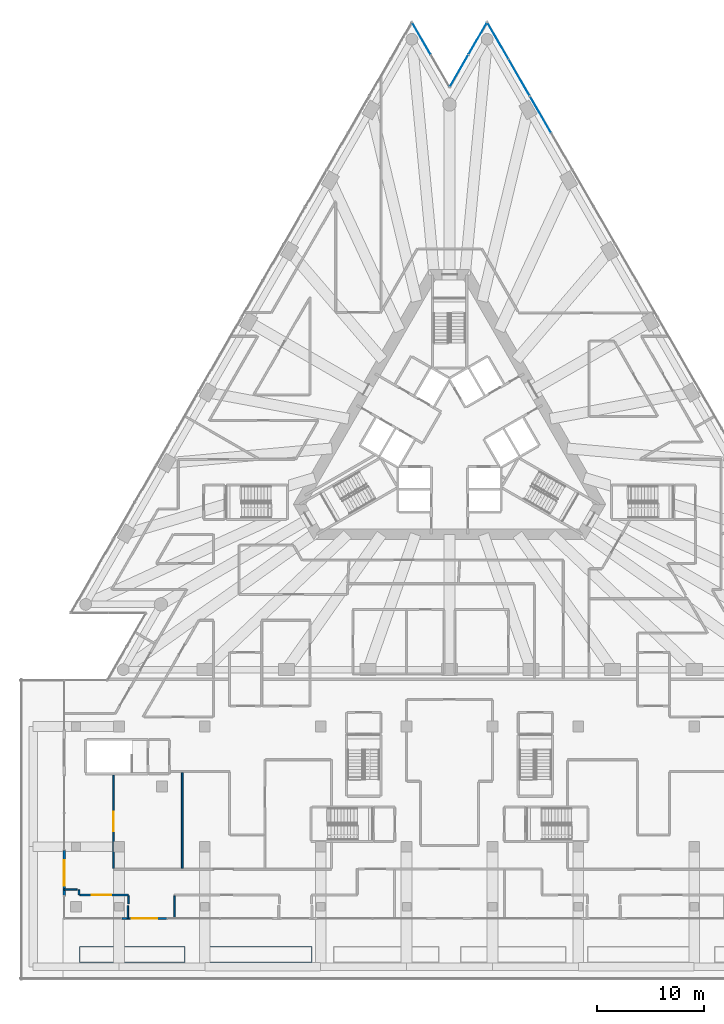
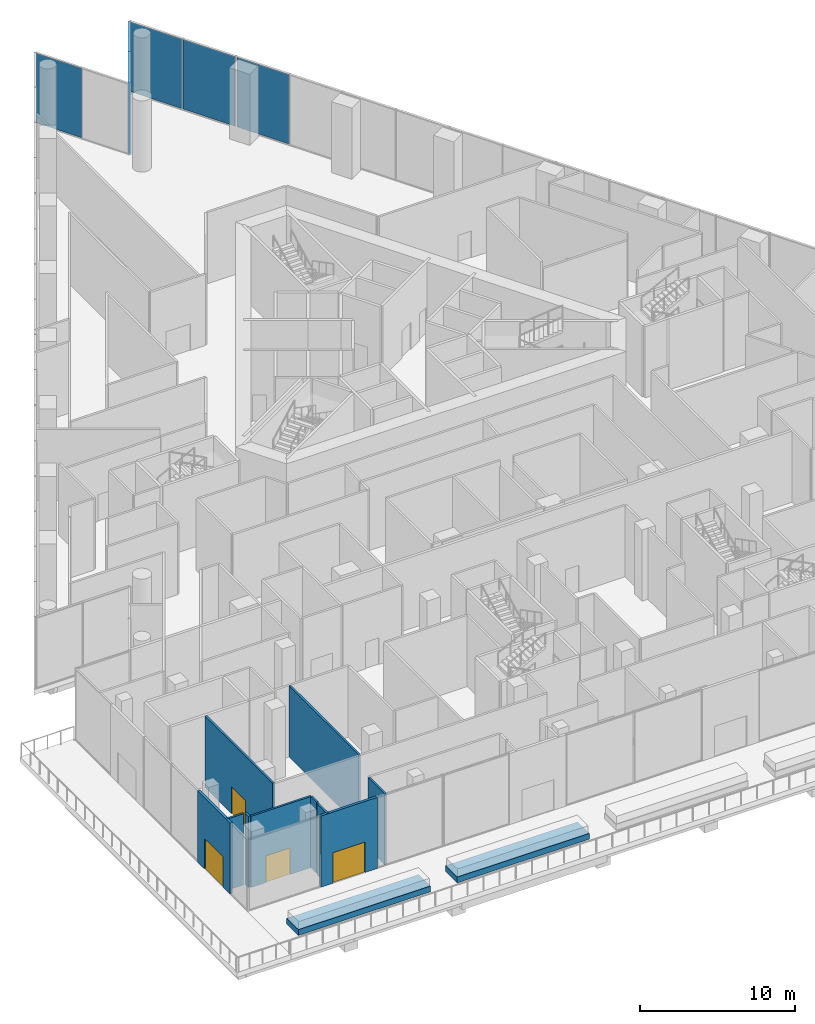
# One storey, part 21 of 36: 12 walls, 6 plates, 4 doors, 4 openings, 4 elements without a shape of their own.
"""IFC4 building model written with IfcOpenShell, lengths in metres."""

from ifc_helpers import new_model, si_unit, direction, frame, frame_2d, origin, origin_2d, place, context, subcontext, project, spatial, rectangle, extrude, material, layer, layer_set, layer_usage, type_object, element, fill, aggregate, save


model = new_model("IFC4")

# Units and contexts
model_context = context("Model", 3, precision=1e-05, world=origin(), true_north=direction((0.0, 1.0)))
body_context = subcontext(model_context, "Body", "Model", "MODEL_VIEW")
ifc_project = project(units=[si_unit("LENGTHUNIT", "METRE"), si_unit("AREAUNIT", "SQUARE_METRE"), si_unit("VOLUMEUNIT", "CUBIC_METRE"), si_unit("PLANEANGLEUNIT", "RADIAN"), si_unit("MASSUNIT", "GRAM", prefix="KILO")], contexts=[model_context])

# Site, building, storey
site_placement = place(None, origin())
site = spatial("IfcSite", under=ifc_project, at=site_placement, CompositionType="ELEMENT")
building_placement = place(site_placement, origin())
building = spatial("IfcBuilding", under=site, at=building_placement, Name="Triada Interchange Tower", CompositionType="ELEMENT")
storey_placement = place(building_placement, frame((0.0, 0.0, 8.5)))
storey = spatial("IfcBuildingStorey", under=building, at=storey_placement, Name="L01", CompositionType="ELEMENT", Elevation=8.5)

# Curtain wall, plate
ifc_material_1 = material(Name="Aluminium framed glazing", Category="aluminium")
ifc_layer_1 = layer(ifc_material_1, 0.199951171875)
ifc_layer_set_1 = layer_set([ifc_layer_1], Name="Curtain wall Concourse glazed screen")
curtain_wall_type_1 = type_object("IfcCurtainWallType", Name="Curtain wall Concourse glazed screen", PredefinedType="NOTDEFINED", material=ifc_layer_set_1)
curtain_wall_1_placement = place(storey_placement, origin())
curtain_wall_1 = element("IfcCurtainWall", 1, at=curtain_wall_1_placement, inside=storey, type_object=curtain_wall_type_1, Name="Concourse glazed screen CW023 L01", PredefinedType="NOTDEFINED")
ifc_material_2 = material(Name="Insulated glazing unit", Category="glass")
ifc_layer_2 = layer(ifc_material_2, 0.031982421875)
ifc_layer_set_2 = layer_set([ifc_layer_2], Name="Glazing panel Concourse glazed screen 32")
plate_type_1 = type_object("IfcPlateType", Name="Glazing panel Concourse glazed screen 32", PredefinedType="CURTAIN_PANEL", material=ifc_layer_set_2)
plate_1_placement = place(storey_placement, frame((8.482177734375, 30.10791015625, 0.06005859375), z_axis=(0.0, 0.0, 1.0), x_axis=(-0.499947913852, 0.866055473648, 0.0)))
plate_1 = element("IfcPlate", 2, at=plate_1_placement, type_object=plate_type_1, Name="CW023 panel 2.1", PredefinedType="CURTAIN_PANEL", context=body_context, shape_type="SweptSolid", body=[
    extrude(rectangle(XDim=3.87744140625, YDim=0.031982421875, at=origin_2d()), origin(), (0.0, 0.0, 1.0), 5.47998046875),
])
aggregate(curtain_wall_1, [plate_1])

# Curtain wall, plates
curtain_wall_2_placement = place(storey_placement, origin())
curtain_wall_2 = element("IfcCurtainWall", 3, at=curtain_wall_2_placement, inside=storey, type_object=curtain_wall_type_1, Name="Concourse glazed screen CW024 L01", PredefinedType="NOTDEFINED")
plate_2_placement = place(storey_placement, frame((6.47705078125, 33.580322265625, 0.06005859375), z_axis=(0.0, 0.0, 1.0), x_axis=(-0.499958648825, 0.86604927658, 0.0)))
plate_2 = element("IfcPlate", 4, at=plate_2_placement, type_object=plate_type_1, Name="CW024 panel 1.1", PredefinedType="CURTAIN_PANEL", context=body_context, shape_type="SweptSolid", body=[
    extrude(rectangle(XDim=3.88037109375, YDim=0.031982421875, at=origin_2d()), origin(), (0.0, 0.0, 1.0), 5.47998046875),
])
plate_3_placement = place(storey_placement, frame((4.507080078125, 36.99267578125, 0.06005859375), z_axis=(0.0, 0.0, 1.0), x_axis=(-0.499958648825, 0.86604927658, 0.0)))
plate_3 = element("IfcPlate", 5, at=plate_3_placement, type_object=plate_type_1, Name="CW024 panel 2.1", PredefinedType="CURTAIN_PANEL", context=body_context, shape_type="SweptSolid", body=[
    extrude(rectangle(XDim=3.88037109375, YDim=0.031982421875, at=origin_2d()), origin(), (0.0, 0.0, 1.0), 5.47998046875),
])
aggregate(curtain_wall_2, [plate_2, plate_3])

ifc_layer_3 = layer(ifc_material_1, 0.199951171875)
ifc_layer_set_3 = layer_set([ifc_layer_3], Name="Curtain wall Tower lobby glazing")
curtain_wall_type_2 = type_object("IfcCurtainWallType", Name="Curtain wall Tower lobby glazing", PredefinedType="NOTDEFINED", material=ifc_layer_set_3)
curtain_wall_3_placement = place(storey_placement, origin())
curtain_wall_3 = element("IfcCurtainWall", 6, at=curtain_wall_3_placement, inside=storey, type_object=curtain_wall_type_2, Name="Tower lobby glazing CW025 L01", PredefinedType="NOTDEFINED")
ifc_layer_4 = layer(ifc_material_2, 0.031982421875)
ifc_layer_set_4 = layer_set([ifc_layer_4], Name="Glazing panel Tower lobby glazing 32")
plate_type_2 = type_object("IfcPlateType", Name="Glazing panel Tower lobby glazing 32", PredefinedType="CURTAIN_PANEL", material=ifc_layer_set_4)
plate_4_placement = place(storey_placement, frame((2.622802734375, 37.193359375, 0.06005859375), z_axis=(0.0, 0.0, 1.0), x_axis=(-0.499956922962, -0.866050272896, 0.0)))
plate_4 = element("IfcPlate", 7, at=plate_4_placement, type_object=plate_type_2, Name="CW025 panel 1.1", PredefinedType="CURTAIN_PANEL", context=body_context, shape_type="SweptSolid", body=[
    extrude(rectangle(XDim=3.417236328125, YDim=0.031982421875, at=origin_2d()), origin(), (0.0, 0.0, 1.0), 5.47998046875),
])
plate_5_placement = place(storey_placement, frame((0.88427734375, 34.181640625, 0.06005859375), z_axis=(0.0, 0.0, 1.0), x_axis=(-0.499956922962, -0.866050272896, 0.0)))
plate_5 = element("IfcPlate", 8, at=plate_5_placement, type_object=plate_type_2, Name="CW025 panel 2.1", PredefinedType="CURTAIN_PANEL", context=body_context, shape_type="SweptSolid", body=[
    extrude(rectangle(XDim=3.417236328125, YDim=0.031982421875, at=origin_2d()), origin(), (0.0, 0.0, 1.0), 5.47998046875),
])
aggregate(curtain_wall_3, [plate_4, plate_5])

# Curtain wall, plate
curtain_wall_4_placement = place(storey_placement, origin())
curtain_wall_4 = element("IfcCurtainWall", 9, at=curtain_wall_4_placement, inside=storey, type_object=curtain_wall_type_2, Name="Tower lobby glazing CW026 L01", PredefinedType="NOTDEFINED")
plate_6_placement = place(storey_placement, frame((-2.622802734375, 37.193359375, 0.06005859375), z_axis=(0.0, 0.0, 1.0), x_axis=(-0.499956922962, 0.866050272896, 0.0)))
plate_6 = element("IfcPlate", 10, at=plate_6_placement, type_object=plate_type_2, Name="CW026 panel 2.1", PredefinedType="CURTAIN_PANEL", context=body_context, shape_type="SweptSolid", body=[
    extrude(rectangle(XDim=3.417236328125, YDim=0.031982421875, at=origin_2d()), origin(), (0.0, 0.0, 1.0), 5.47998046875),
])
aggregate(curtain_wall_4, [plate_6])

# Wall, opening, door
ifc_material_3 = material(Name="Cement board")
ifc_layer_5 = layer(ifc_material_3, 0.02001953125, Name="Cement board cladding")
ifc_material_4 = material(Name="Sheathing board")
ifc_layer_6 = layer(ifc_material_4, 0.014892578125, Name="Sheathing board")
ifc_material_5 = material(Name="Mineral wool")
ifc_layer_7 = layer(ifc_material_5, 0.14990234375, Name="Mineral wool between steel studs")
ifc_material_6 = material(Name="Gypsum board")
ifc_layer_8 = layer(ifc_material_6, 0.014892578125, Name="Plasterboard lining")
ifc_layer_set_5 = layer_set([ifc_layer_5, ifc_layer_6, ifc_layer_7, ifc_layer_8], Name="External wall 200")
ifc_layer_usage = layer_usage(ifc_layer_set_5, "AXIS2", "POSITIVE", -0.10009765625)
wall_type_1 = type_object("IfcWallType", Name="External wall 200", PredefinedType="ELEMENTEDWALL", material=ifc_layer_set_5)
wall_1_placement = place(storey_placement, frame((-30.52001953125, -44.800048828125, 0.0), z_axis=(0.0, 0.0, 1.0), x_axis=(1.0, 0.0, 0.0)))
wall_1 = element("IfcWall", 11, at=wall_1_placement, inside=storey, type_object=wall_type_1, material=ifc_layer_usage, Name="External wall L01 00.1", PredefinedType="ELEMENTEDWALL", context=body_context, shape_type="SweptSolid", body=[
    extrude(rectangle(XDim=4.199951171875, YDim=0.199951171875, at=frame_2d((2.10009765625, 0.0))), origin(), (0.0, 0.0, 1.0), 5.60009765625),
])
opening_1_placement = place(wall_1_placement, frame((0.89990234375, 0.0, 0.0)))
opening_1 = element("IfcOpeningElement", 12, at=opening_1_placement, cuts=wall_1, Name="Opening DX29", PredefinedType="OPENING", context=body_context, shape_type="SweptSolid", body=[
    extrude(rectangle(XDim=2.39990234375, YDim=2.39990234375, at=frame_2d((1.199951171875, 1.199951171875))), frame((0.0, 0.10986328125, 0.0), z_axis=(0.0, -1.0, 0.0), x_axis=(1.0, 0.0, 0.0)), (0.0, 0.0, 1.0), 0.219970703125),
])
ifc_material_7 = material(Name="Aluminium and glass", Category="aluminium")
door_type_1 = type_object("IfcDoorType", Name="Terrace door double", OperationType="DOUBLE_DOOR_SINGLE_SWING", PredefinedType="DOOR", material=ifc_material_7)
door_1_placement = place(opening_1_placement, frame((2.39990234375, 0.0, 0.0), z_axis=(0.0, 0.0, 1.0), x_axis=(-1.0, 0.0, 0.0)))
door_1 = element("IfcDoor", 13, at=door_1_placement, inside=storey, type_object=door_type_1, Name="Door DX29 L01", OperationType="DOUBLE_DOOR_SINGLE_SWING", OverallHeight=2.39990234375, OverallWidth=2.39990234375, PredefinedType="DOOR", context=body_context, shape_type="SweptSolid", body=[
    extrude(rectangle(XDim=2.39990234375, YDim=2.39990234375, at=frame_2d((1.199951171875, 1.199951171875))), frame((0.0, 0.02490234375, 0.0), z_axis=(0.0, -1.0, 0.0), x_axis=(1.0, 0.0, 0.0)), (0.0, 0.0, 1.0), 0.050048828125),
])
fill(opening_1, door_1)

wall_2_placement = place(storey_placement, frame((-35.89990234375, -38.449951171875, 0.0), z_axis=(0.0, 0.0, 1.0), x_axis=(0.0, -1.0, 0.0)))
wall_2 = element("IfcWall", 14, at=wall_2_placement, inside=storey, type_object=wall_type_1, material=ifc_layer_usage, Name="External wall L01 12.3", PredefinedType="ELEMENTEDWALL", context=body_context, shape_type="SweptSolid", body=[
    extrude(rectangle(XDim=4.199951171875, YDim=0.199951171875, at=frame_2d((2.10009765625, 0.0))), origin(), (0.0, 0.0, 1.0), 5.60009765625),
])
opening_2_placement = place(wall_2_placement, frame((0.89990234375, 0.0, 0.0)))
opening_2 = element("IfcOpeningElement", 15, at=opening_2_placement, cuts=wall_2, Name="Opening DX37", PredefinedType="OPENING", context=body_context, shape_type="SweptSolid", body=[
    extrude(rectangle(XDim=2.39990234375, YDim=2.39990234375, at=frame_2d((1.199951171875, 1.199951171875))), frame((0.0, 0.10986328125, 0.0), z_axis=(0.0, -1.0, 0.0), x_axis=(1.0, 0.0, 0.0)), (0.0, 0.0, 1.0), 0.219970703125),
])
door_2_placement = place(opening_2_placement, frame((2.39990234375, 0.0, 0.0), z_axis=(0.0, 0.0, 1.0), x_axis=(-1.0, 0.0, 0.0)))
door_2 = element("IfcDoor", 16, at=door_2_placement, inside=storey, type_object=door_type_1, Name="Door DX37 L01", OperationType="DOUBLE_DOOR_SINGLE_SWING", OverallHeight=2.39990234375, OverallWidth=2.39990234375, PredefinedType="DOOR", context=body_context, shape_type="SweptSolid", body=[
    extrude(rectangle(XDim=2.39990234375, YDim=2.39990234375, at=frame_2d((1.199951171875, 1.199951171875))), frame((0.0, 0.02490234375, 0.0), z_axis=(0.0, -1.0, 0.0), x_axis=(1.0, 0.0, 0.0)), (0.0, 0.0, 1.0), 0.050048828125),
])
fill(opening_2, door_2)

# Walls
ifc_material_8 = material(Name="Gypsum board partition")
ifc_layer_9 = layer(ifc_material_8, 0.14990234375)
ifc_layer_set_6 = layer_set([ifc_layer_9], Name="PARTITION 150 EI 90")
wall_type_2 = type_object("IfcWallType", Name="PARTITION 150 EI 90", PredefinedType="PARTITIONING", material=ifc_layer_set_6)
wall_3_placement = place(storey_placement, frame((-35.89990234375, -42.10009765625, 0.0), z_axis=(0.0, 0.0, 1.0), x_axis=(1.0, 0.0, 0.0)))
element("IfcWall", 17, at=wall_3_placement, inside=storey, type_object=wall_type_2, Name="Wall L01 36", PredefinedType="PARTITIONING", context=body_context, shape_type="SweptSolid", body=[
    extrude(rectangle(XDim=1.199951171875, YDim=0.14990234375, at=frame_2d((0.60009765625, 0.0))), origin(), (0.0, 0.0, 1.0), 5.60009765625),
])
wall_4_placement = place(storey_placement, frame((-34.52099609375, -42.60009765625, 0.0), z_axis=(0.0, 0.0, 1.0), x_axis=(0.0, 1.0, 0.0)))
element("IfcWall", 18, at=wall_4_placement, inside=storey, type_object=wall_type_2, Name="Wall L01 38", PredefinedType="PARTITIONING", context=body_context, shape_type="SweptSolid", body=[
    extrude(rectangle(XDim=0.466064453125, YDim=0.14990234375, at=frame_2d((0.23291015625, 0.0))), origin(), (0.0, 0.0, 1.0), 5.60009765625),
])

# Wall, opening, door
wall_5_placement = place(storey_placement, frame((-34.446044921875, -42.60009765625, 0.0), z_axis=(0.0, 0.0, 1.0), x_axis=(1.0, 0.0, 0.0)))
wall_5 = element("IfcWall", 19, at=wall_5_placement, inside=storey, type_object=wall_type_2, Name="Wall L01 39", PredefinedType="PARTITIONING", context=body_context, shape_type="SweptSolid", body=[
    extrude(rectangle(XDim=4.526123046875, YDim=0.14990234375, at=frame_2d((2.26318359375, 0.0))), origin(), (0.0, 0.0, 1.0), 5.60009765625),
])
opening_3_placement = place(wall_5_placement, frame((1.125, 0.0, 0.0)))
opening_3 = element("IfcOpeningElement", 20, at=opening_3_placement, cuts=wall_5, Name="Opening D01-49", PredefinedType="OPENING", context=body_context, shape_type="SweptSolid", body=[
    extrude(rectangle(XDim=1.800048828125, YDim=2.10009765625, at=frame_2d((0.89990234375, 1.050048828125))), frame((0.0, 0.0849609375, 0.0), z_axis=(0.0, -1.0, 0.0), x_axis=(1.0, 0.0, 0.0)), (0.0, 0.0, 1.0), 0.169921875),
])
ifc_material_9 = material(Name="Steel S235 door leaf", Category="steel")
door_type_2 = type_object("IfcDoorType", Name="SHOP AND HALL ENTRANCE DOOR 1800 EI2 90-C5S200", OperationType="DOUBLE_DOOR_SINGLE_SWING", PredefinedType="DOOR", material=ifc_material_9)
door_3_placement = place(opening_3_placement, origin())
door_3 = element("IfcDoor", 21, at=door_3_placement, inside=storey, type_object=door_type_2, Name="Door D01-49 L01", OperationType="DOUBLE_DOOR_SINGLE_SWING", OverallHeight=2.10009765625, OverallWidth=1.800048828125, PredefinedType="DOOR", context=body_context, shape_type="SweptSolid", body=[
    extrude(rectangle(XDim=1.800048828125, YDim=2.10009765625, at=frame_2d((0.89990234375, 1.050048828125))), frame((0.0, 0.02490234375, 0.0), z_axis=(0.0, -1.0, 0.0), x_axis=(1.0, 0.0, 0.0)), (0.0, 0.0, 1.0), 0.050048828125),
])
fill(opening_3, door_3)

# Walls
wall_6_placement = place(storey_placement, frame((-29.919921875, -43.4208984375, 0.0), z_axis=(0.0, 0.0, 1.0), x_axis=(0.0, 1.0, 0.0)))
element("IfcWall", 22, at=wall_6_placement, inside=storey, type_object=wall_type_2, Name="Wall L01 45", PredefinedType="PARTITIONING", context=body_context, shape_type="SweptSolid", body=[
    extrude(rectangle(XDim=0.745849609375, YDim=0.14990234375, at=frame_2d((0.373046875, 0.0))), origin(), (0.0, 0.0, 1.0), 5.60009765625),
])
wall_7_placement = place(storey_placement, frame((-29.969970703125, -44.800048828125, 0.0), z_axis=(0.0, 0.0, 1.0), x_axis=(0.0, 1.0, 0.0)))
element("IfcWall", 23, at=wall_7_placement, inside=storey, type_object=wall_type_2, Name="Wall L01 46", PredefinedType="PARTITIONING", context=body_context, shape_type="SweptSolid", body=[
    extrude(rectangle(XDim=1.199951171875, YDim=0.14990234375, at=frame_2d((0.60009765625, 0.0))), origin(), (0.0, 0.0, 1.0), 5.60009765625),
])

# Wall, opening, door
wall_8_placement = place(storey_placement, frame((-31.300048828125, -40.125, 0.0), z_axis=(0.0, 0.0, 1.0), x_axis=(0.0, 1.0, 0.0)))
wall_8 = element("IfcWall", 24, at=wall_8_placement, inside=storey, type_object=wall_type_2, Name="Wall L01 55", PredefinedType="PARTITIONING", context=body_context, shape_type="SweptSolid", body=[
    extrude(rectangle(XDim=8.72509765625, YDim=0.14990234375, at=frame_2d((4.362548828125, 0.0))), origin(), (0.0, 0.0, 1.0), 5.60009765625),
])
opening_4_placement = place(wall_8_placement, frame((3.47509765625, 0.0, 0.0)))
opening_4 = element("IfcOpeningElement", 25, at=opening_4_placement, cuts=wall_8, Name="Opening D01-31", PredefinedType="OPENING", context=body_context, shape_type="SweptSolid", body=[
    extrude(rectangle(XDim=1.800048828125, YDim=2.10009765625, at=frame_2d((0.89990234375, 1.050048828125))), frame((0.0, 0.0849609375, 0.0), z_axis=(0.0, -1.0, 0.0), x_axis=(1.0, 0.0, 0.0)), (0.0, 0.0, 1.0), 0.169921875),
])
door_4_placement = place(opening_4_placement, origin())
door_4 = element("IfcDoor", 26, at=door_4_placement, inside=storey, type_object=door_type_2, Name="Door D01-31 L01", OperationType="DOUBLE_DOOR_SINGLE_SWING", OverallHeight=2.10009765625, OverallWidth=1.800048828125, PredefinedType="DOOR", context=body_context, shape_type="SweptSolid", body=[
    extrude(rectangle(XDim=1.800048828125, YDim=2.10009765625, at=frame_2d((0.89990234375, 1.050048828125))), frame((0.0, 0.02490234375, 0.0), z_axis=(0.0, -1.0, 0.0), x_axis=(1.0, 0.0, 0.0)), (0.0, 0.0, 1.0), 0.050048828125),
])
fill(opening_4, door_4)

# Walls
wall_9_placement = place(storey_placement, frame((-25.64306640625, -44.800048828125, 0.0), z_axis=(0.0, 0.0, 1.0), x_axis=(0.0, 1.0, 0.0)))
element("IfcWall", 27, at=wall_9_placement, inside=storey, type_object=wall_type_2, Name="Wall L01 77", PredefinedType="PARTITIONING", context=body_context, shape_type="SweptSolid", body=[
    extrude(rectangle(XDim=2.125, YDim=0.14990234375, at=frame_2d((1.0625, 0.0))), origin(), (0.0, 0.0, 1.0), 5.60009765625),
])
wall_10_placement = place(storey_placement, frame((-24.89990234375, -40.125, 0.0), z_axis=(0.0, 0.0, 1.0), x_axis=(0.0, 1.0, 0.0)))
element("IfcWall", 28, at=wall_10_placement, inside=storey, type_object=wall_type_2, Name="Wall L01 80", PredefinedType="PARTITIONING", context=body_context, shape_type="SweptSolid", body=[
    extrude(rectangle(XDim=8.949951171875, YDim=0.14990234375, at=frame_2d((4.47509765625, 0.0))), origin(), (0.0, 0.0, 1.0), 5.60009765625),
])
ifc_material_10 = material(Name="Concrete C30/37", Category="concrete")
ifc_layer_10 = layer(ifc_material_10, 1.5)
ifc_layer_set_7 = layer_set([ifc_layer_10], Name="Planter bed 450")
wall_type_3 = type_object("IfcWallType", Name="Planter bed 450", PredefinedType="STANDARD", material=ifc_layer_set_7)
wall_11_placement = place(storey_placement, frame((-34.5, -48.1298828125, 0.0), z_axis=(0.0, 0.0, 1.0), x_axis=(1.0, 0.0, 0.0)))
element("IfcWall", 29, at=wall_11_placement, inside=storey, type_object=wall_type_3, Name="PLANTER L01 01", PredefinedType="STANDARD", context=body_context, shape_type="SweptSolid", body=[
    extrude(rectangle(XDim=9.8330078125, YDim=1.5, at=frame_2d((4.91650390625, 0.0))), origin(), (0.0, 0.0, 1.0), 0.449951171875),
])
wall_12_placement = place(storey_placement, frame((-22.6669921875, -48.1298828125, 0.0), z_axis=(0.0, 0.0, 1.0), x_axis=(1.0, 0.0, 0.0)))
element("IfcWall", 30, at=wall_12_placement, inside=storey, type_object=wall_type_3, Name="PLANTER L01 02", PredefinedType="STANDARD", context=body_context, shape_type="SweptSolid", body=[
    extrude(rectangle(XDim=9.833984375, YDim=1.5, at=frame_2d((4.9169921875, 0.0))), origin(), (0.0, 0.0, 1.0), 0.449951171875),
])

save(model, "model.ifc")
